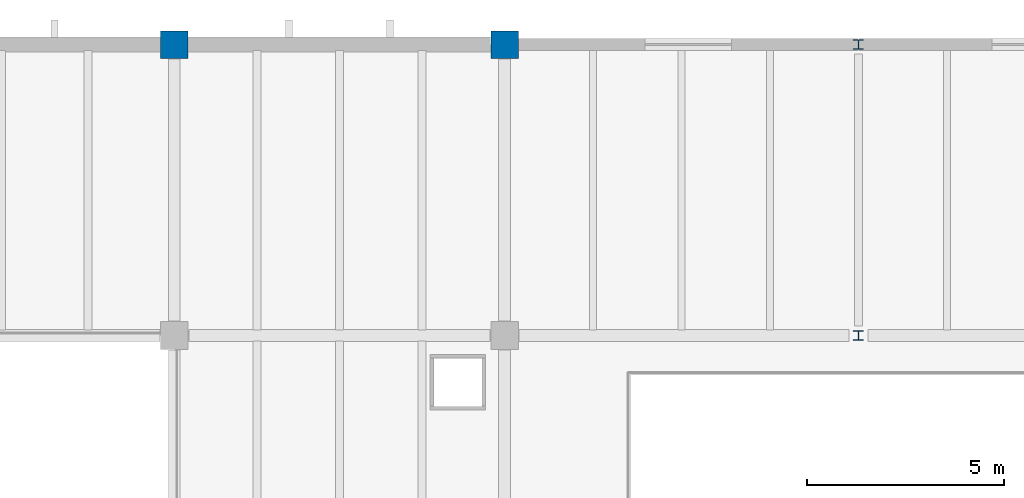
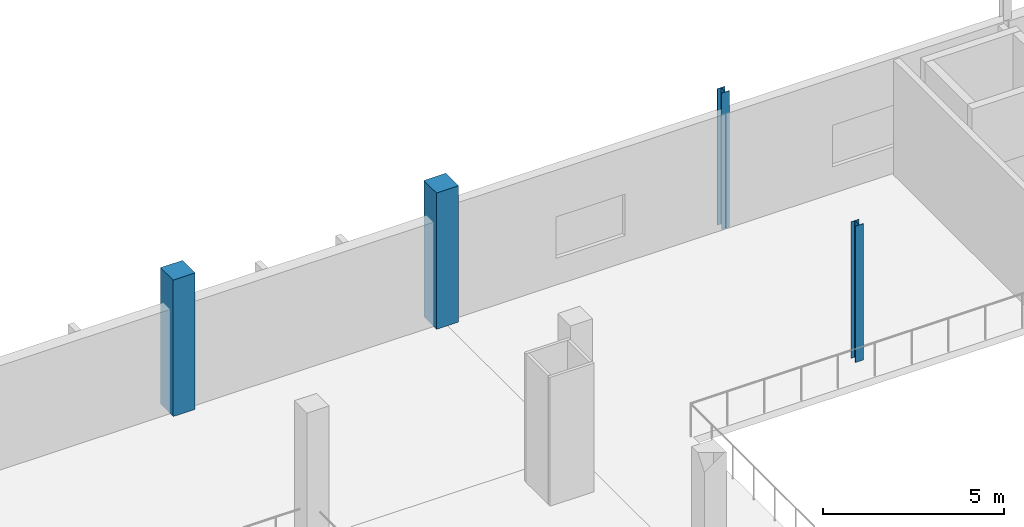
# One storey, part 3 of 37: 4 columns.
"""IFC4 building model written with IfcOpenShell, lengths in metres."""

from ifc_helpers import new_model, si_unit, direction, frame, origin, origin_2d, place, context, subcontext, project, spatial, rectangle, i_section, extrude, material, material_profile, profile_set, type_object, element, save


model = new_model("IFC4")

# Units and contexts
model_context = context("Model", 3, precision=1e-05, world=origin(), true_north=direction((0.0, 1.0)))
body_context = subcontext(model_context, "Body", "Model", "MODEL_VIEW")
ifc_project = project(units=[si_unit("LENGTHUNIT", "METRE"), si_unit("AREAUNIT", "SQUARE_METRE"), si_unit("VOLUMEUNIT", "CUBIC_METRE"), si_unit("PLANEANGLEUNIT", "RADIAN"), si_unit("MASSUNIT", "GRAM", prefix="KILO")], contexts=[model_context])

# Site, building, storey
site_placement = place(None, origin())
site = spatial("IfcSite", under=ifc_project, at=site_placement, CompositionType="ELEMENT")
building_placement = place(site_placement, origin())
building = spatial("IfcBuilding", under=site, at=building_placement, Name="Shengluoqiao Park Theatre", CompositionType="ELEMENT")
storey_placement = place(building_placement, frame((0.0, 0.0, 19.199951171875)))
storey = spatial("IfcBuildingStorey", under=building, at=storey_placement, Name="L04", CompositionType="ELEMENT", Elevation=19.199951171875)

# Columns
ifc_material_1 = material(Name="Steel Q355", Category="steel")
ifc_material_profile_1 = material_profile(ifc_material_1, i_section(OverallWidth=0.2548828125, OverallDepth=0.25, WebThickness=0.013916015625, FlangeThickness=0.013916015625, FilletRadius=0.01611328125, at=origin_2d()), Name="HW 250x255x14x14")
ifc_profile_set_1 = profile_set([ifc_material_profile_1], Name="Steel Q355")
column_type_1 = type_object("IfcColumnType", Name="STR-COL-C-HW255", PredefinedType="COLUMN", material=ifc_profile_set_1)
for number, where, z_axis, x_axis, name in (
    (1, (121.39990234375, 106.60009765625, 0.0), (0.0, 0.0, 1.0), (1.0, 0.0, 0.0), "L04 Column 0616"),
    (2, (121.39990234375, 114.0, 0.0), (0.0, 0.0, 1.0), (1.0, 0.0, 0.0), "L04 Column 0623"),
):
    element("IfcColumn", number, at=place(storey_placement, frame(where, z_axis=z_axis, x_axis=x_axis)), inside=storey, type_object=column_type_1, Name=name, PredefinedType="COLUMN", context=body_context, shape_type="SweptSolid", body=[
        extrude(i_section(OverallWidth=0.2548828125, OverallDepth=0.25, WebThickness=0.013916015625, FlangeThickness=0.013916015625, FilletRadius=0.01611328125, at=origin_2d()), origin(), (0.0, 0.0, 1.0), 4.60009765625),
    ])
ifc_material_2 = material(Name="Concrete C50", Category="concrete")
ifc_material_profile_2 = material_profile(ifc_material_2, rectangle(XDim=0.699951171875, YDim=0.699951171875, at=origin_2d()), Name="RC 700x700")
ifc_profile_set_2 = profile_set([ifc_material_profile_2], Name="Concrete C50")
column_type_2 = type_object("IfcColumnType", Name="STR-COL-C-RC700", PredefinedType="COLUMN", material=ifc_profile_set_2)
for number, where, z_axis, x_axis, name in (
    (3, (104.0, 114.0, 0.0), (0.0, 0.0, 1.0), (1.0, 0.0, 0.0), "L04 Column 0535"),
    (4, (112.39990234375, 114.0, 0.0), (0.0, 0.0, 1.0), (1.0, 0.0, 0.0), "L04 Column 0581"),
):
    element("IfcColumn", number, at=place(storey_placement, frame(where, z_axis=z_axis, x_axis=x_axis)), inside=storey, type_object=column_type_2, Name=name, PredefinedType="COLUMN", context=body_context, shape_type="SweptSolid", body=[
        extrude(rectangle(XDim=0.699951171875, YDim=0.699951171875, at=origin_2d()), origin(), (0.0, 0.0, 1.0), 4.60009765625),
    ])

save(model, "model.ifc")
